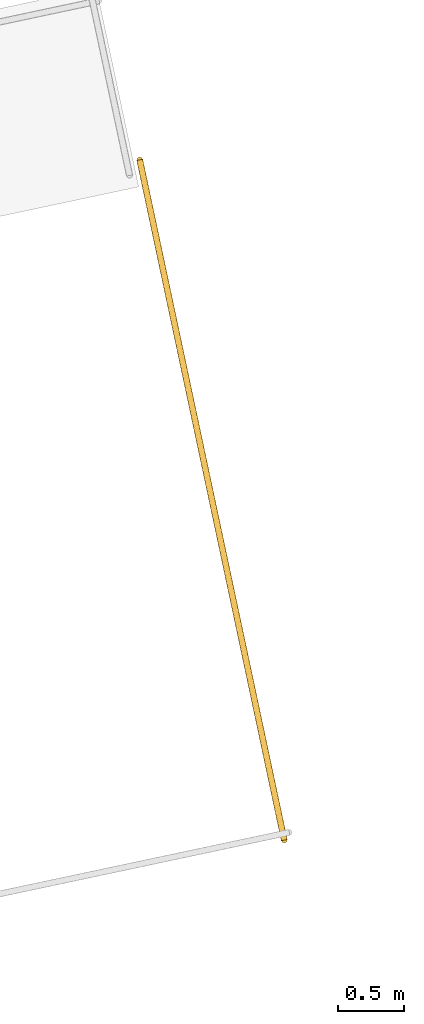
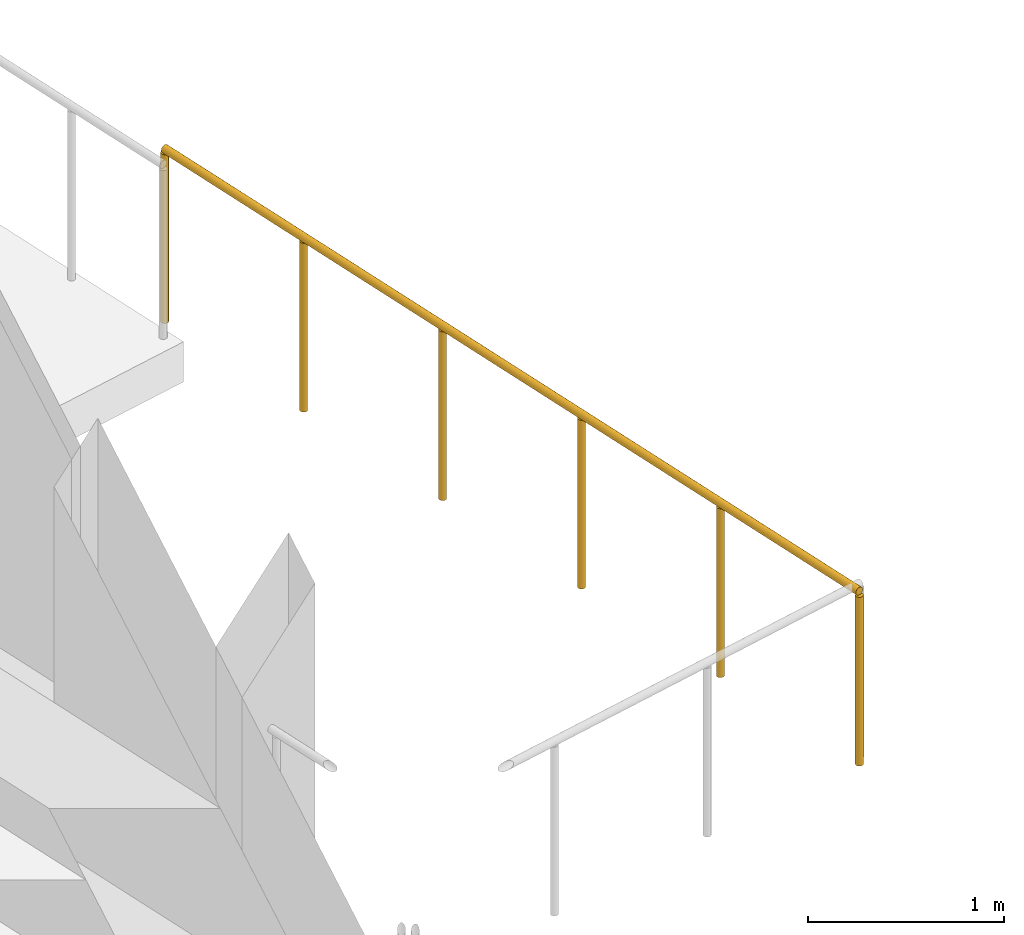
# One storey, part 114 of 115: 1 railing.
"""IFC4 building model written with IfcOpenShell, lengths in metres."""

from ifc_helpers import new_model, si_unit, direction, frame, origin, origin_2d, place, context, subcontext, project, spatial, circle, extrude, material, type_object, element, save


model = new_model("IFC4")

# Units and contexts
model_context = context("Model", 3, precision=1e-05, world=origin(), true_north=direction((0.0, 1.0)))
body_context = subcontext(model_context, "Body", "Model", "MODEL_VIEW")
ifc_project = project(units=[si_unit("LENGTHUNIT", "METRE"), si_unit("AREAUNIT", "SQUARE_METRE"), si_unit("VOLUMEUNIT", "CUBIC_METRE"), si_unit("PLANEANGLEUNIT", "RADIAN"), si_unit("MASSUNIT", "GRAM", prefix="KILO")], contexts=[model_context])

# Site, building, storey
site_placement = place(None, origin())
site = spatial("IfcSite", under=ifc_project, at=site_placement, CompositionType="ELEMENT")
building_placement = place(site_placement, origin())
building = spatial("IfcBuilding", under=site, at=building_placement, Name="Windward Yard Aquatics Centre", CompositionType="ELEMENT")
storey_placement = place(building_placement, frame((0.0, 0.0, 5.0)))
storey = spatial("IfcBuildingStorey", under=building, at=storey_placement, Name="L01", CompositionType="ELEMENT", Elevation=5.0)

# Railing
ifc_material = material(Name="Stainless steel 1.4529", Category="steel")
railing_type = type_object("IfcRailingType", Name="D Gallery escape stair stair guard", PredefinedType="GUARDRAIL", material=ifc_material)
railing_placement = place(storey_placement, frame((197.0830078125, 79.9599609375, 0.0)))
element("IfcRailing", 1, at=railing_placement, inside=storey, type_object=railing_type, Name="L01 D-ST2 top well guard 3", PredefinedType="GUARDRAIL", context=body_context, shape_type="SweptSolid", body=[
    extrude(circle(Radius=0.02392578125, at=origin_2d()), frame((0.0, 0.0, 1.076171875), z_axis=(0.207892913882, -0.978151591706, 0.0), x_axis=(0.978151591706, 0.207892913882, 0.0)), (0.0, 0.0, 1.0), 5.2998046875),
    extrude(circle(Radius=0.02099609375, at=origin_2d()), origin(), (0.0, 0.0, 1.0), 1.052001953125),
    extrude(circle(Radius=0.02099609375, at=origin_2d()), frame((0.220458984375, -1.036865234375, 0.0)), (0.0, 0.0, 1.0), 1.052001953125),
    extrude(circle(Radius=0.02099609375, at=origin_2d()), frame((0.440673828125, -2.07373046875, 0.0)), (0.0, 0.0, 1.0), 1.052001953125),
    extrude(circle(Radius=0.02099609375, at=origin_2d()), frame((0.6611328125, -3.1103515625, 0.0)), (0.0, 0.0, 1.0), 1.052001953125),
    extrude(circle(Radius=0.02099609375, at=origin_2d()), frame((0.88134765625, -4.147216796875, 0.0)), (0.0, 0.0, 1.0), 1.052001953125),
    extrude(circle(Radius=0.02099609375, at=origin_2d()), frame((1.101806640625, -5.18408203125, 0.0)), (0.0, 0.0, 1.0), 1.052001953125),
])

save(model, "model.ifc")
